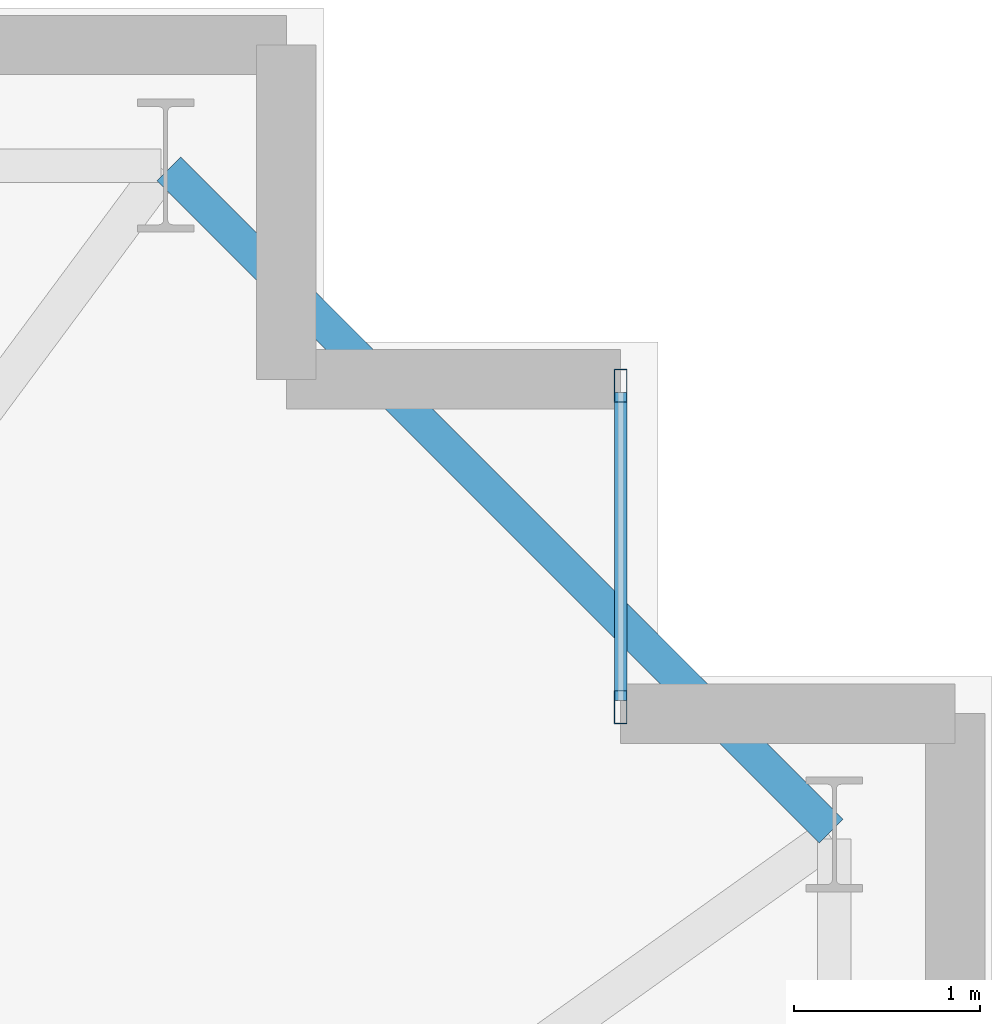
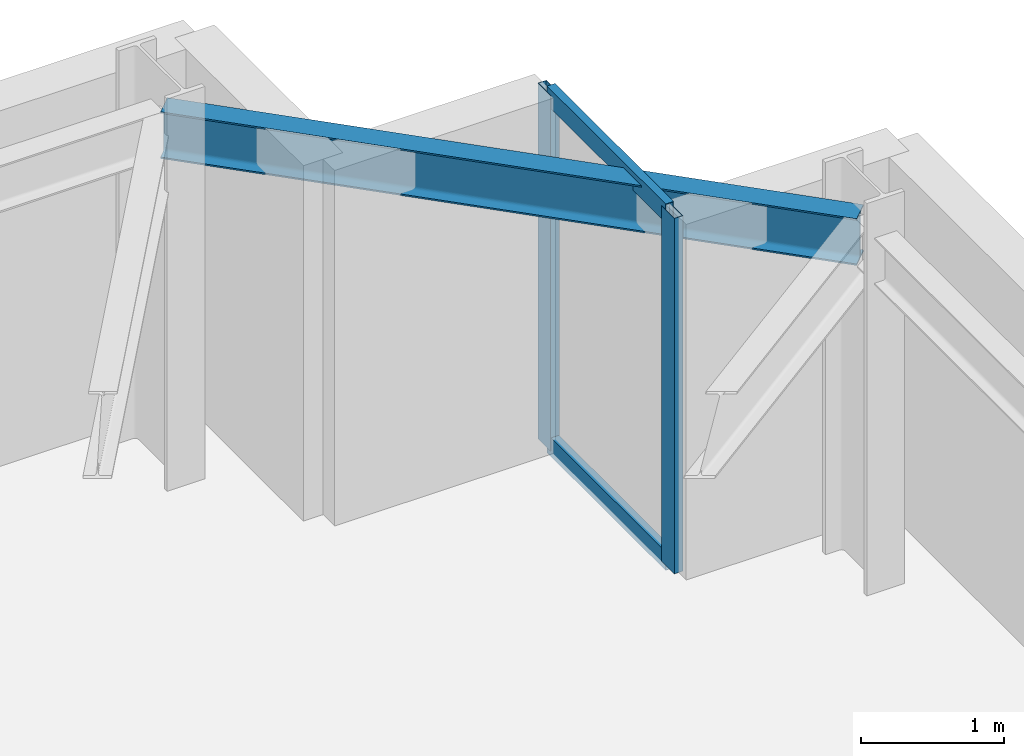
# One storey, part 12 of 21: 4 members, 1 beam, 1 element without a shape of its own.
"""IFC4 building model written with IfcOpenShell, lengths in metres."""

from ifc_helpers import new_model, si_unit, direction, frame, origin, origin_2d, place, context, subcontext, project, spatial, hollow_rectangle, i_section, extrude, material, layer, layer_set, material_profile, profile_set, type_object, element, aggregate, save


model = new_model("IFC4")

# Units and contexts
model_context = context("Model", 3, precision=1e-05, world=origin(), true_north=direction((0.0, 1.0)))
body_context = subcontext(model_context, "Body", "Model", "MODEL_VIEW")
ifc_project = project(units=[si_unit("LENGTHUNIT", "METRE"), si_unit("AREAUNIT", "SQUARE_METRE"), si_unit("VOLUMEUNIT", "CUBIC_METRE"), si_unit("PLANEANGLEUNIT", "RADIAN"), si_unit("MASSUNIT", "GRAM", prefix="KILO")], contexts=[model_context])

# Site, building, storey
site_placement = place(None, origin())
site = spatial("IfcSite", under=ifc_project, at=site_placement, CompositionType="ELEMENT")
building_placement = place(site_placement, origin())
building = spatial("IfcBuilding", under=site, at=building_placement, Name="Qobustan Lattice House", CompositionType="ELEMENT")
storey_placement = place(building_placement, frame((0.0, 0.0, 30.35009765625)))
storey = spatial("IfcBuildingStorey", under=building, at=storey_placement, Name="L07", CompositionType="ELEMENT", Elevation=30.35009765625)

# Beam
ifc_material_1 = material(Name="Steel S355", Category="steel")
ifc_material_profile_1 = material_profile(ifc_material_1, i_section(OverallWidth=0.179931640625, OverallDepth=0.39990234375, WebThickness=0.008544921875, FlangeThickness=0.013427734375, FilletRadius=0.02099609375, at=origin_2d()), Name="IPE400")
ifc_profile_set_1 = profile_set([ifc_material_profile_1], Name="Steel S355")
beam_type = type_object("IfcBeamType", Name="BM-SPD-IPE400", PredefinedType="SPANDREL", material=ifc_profile_set_1)
beam_placement = place(storey_placement, frame((32.13232421875, 15.167724609375, 2.8349609375), z_axis=(-0.707106781187, 0.707106781187, 0.0), x_axis=(-0.707106781187, -0.707106781187, 0.0)))
element("IfcBeam", 1, at=beam_placement, inside=storey, type_object=beam_type, Name="L07 perimeter spandrel E4-N1", PredefinedType="SPANDREL", context=body_context, shape_type="SweptSolid", body=[
    extrude(i_section(OverallWidth=0.179931640625, OverallDepth=0.39990234375, WebThickness=0.008544921875, FlangeThickness=0.013427734375, FilletRadius=0.02099609375, at=origin_2d()), origin(), (0.0, 0.0, 1.0), 5.041259765625),
])

# Curtain wall, members
ifc_material_2 = material(Name="Anodised aluminium and low-E glazing", Category="aluminium")
ifc_layer = layer(ifc_material_2, 0.219970703125)
ifc_layer_set = layer_set([ifc_layer], Name="Anodised aluminium and low-E glazing")
curtain_wall_type = type_object("IfcCurtainWallType", Name="CW-FAC-01", PredefinedType="USERDEFINED", material=ifc_layer_set)
curtain_wall_placement = place(storey_placement, origin())
curtain_wall = element("IfcCurtainWall", 2, at=curtain_wall_placement, inside=storey, type_object=curtain_wall_type, Name="L07 serrated corner faceted glazing 13", ObjectType="CURTAIN WALL", PredefinedType="USERDEFINED")
ifc_material_3 = material(Name="Anodised aluminium EN AW-6063 T6", Category="aluminium")
ifc_material_profile_2 = material_profile(ifc_material_3, hollow_rectangle(XDim=0.070068359375, YDim=0.179931640625, WallThickness=0.00439453125, at=origin_2d()), Name="CWM-180x70")
ifc_profile_set_2 = profile_set([ifc_material_profile_2], Name="Anodised aluminium EN AW-6063 T6")
member_type_1 = type_object("IfcMemberType", Name="CWM-STD-180", PredefinedType="MULLION", material=ifc_profile_set_2)
member_1_placement = place(storey_placement, frame((31.0, 17.56494140625, 0.0), z_axis=(0.0, 0.0, 1.0), x_axis=(1.0, 0.0, 0.0)))
member_1 = element("IfcMember", 3, at=member_1_placement, type_object=member_type_1, Name="CW-F1 mullion 1", PredefinedType="MULLION", context=body_context, shape_type="SweptSolid", body=[
    extrude(hollow_rectangle(XDim=0.070068359375, YDim=0.179931640625, WallThickness=0.00439453125, at=origin_2d()), origin(), (0.0, 0.0, 1.0), 3.034912109375),
])
member_2_placement = place(storey_placement, frame((31.0, 15.8349609375, 0.0), z_axis=(0.0, 0.0, 1.0), x_axis=(1.0, 0.0, 0.0)))
member_2 = element("IfcMember", 4, at=member_2_placement, type_object=member_type_1, Name="CW-F1 mullion 2", PredefinedType="MULLION", context=body_context, shape_type="SweptSolid", body=[
    extrude(hollow_rectangle(XDim=0.070068359375, YDim=0.179931640625, WallThickness=0.00439453125, at=origin_2d()), origin(), (0.0, 0.0, 1.0), 3.034912109375),
])
ifc_material_4 = material(Name="Anodised aluminium EN AW-6063 T6", Category="aluminium")
ifc_material_profile_3 = material_profile(ifc_material_4, hollow_rectangle(XDim=0.06494140625, YDim=0.159912109375, WallThickness=0.00390625, at=origin_2d()), Name="CWT-160x65")
ifc_profile_set_3 = profile_set([ifc_material_profile_3], Name="Anodised aluminium EN AW-6063 T6")
member_type_2 = type_object("IfcMemberType", Name="CWT-HOR-160", PredefinedType="USERDEFINED", material=ifc_profile_set_3)
member_3_placement = place(storey_placement, frame((31.0, 17.530029296875, 0.032470703125), z_axis=(0.0, -1.0, 0.0), x_axis=(1.0, 0.0, 0.0)))
member_3 = element("IfcMember", 5, at=member_3_placement, type_object=member_type_2, Name="CW-F1 transom 1.1", ObjectType="TRANSOM", PredefinedType="USERDEFINED", context=body_context, shape_type="SweptSolid", body=[
    extrude(hollow_rectangle(XDim=0.06494140625, YDim=0.159912109375, WallThickness=0.00390625, at=origin_2d()), origin(), (0.0, 0.0, 1.0), 1.659912109375),
])
member_4_placement = place(storey_placement, frame((31.0, 17.530029296875, 3.00244140625), z_axis=(0.0, -1.0, 0.0), x_axis=(1.0, 0.0, 0.0)))
member_4 = element("IfcMember", 6, at=member_4_placement, type_object=member_type_2, Name="CW-F1 transom 1.2", ObjectType="TRANSOM", PredefinedType="USERDEFINED", context=body_context, shape_type="SweptSolid", body=[
    extrude(hollow_rectangle(XDim=0.06494140625, YDim=0.159912109375, WallThickness=0.00390625, at=origin_2d()), origin(), (0.0, 0.0, 1.0), 1.659912109375),
])
aggregate(curtain_wall, [member_1, member_2, member_3, member_4])

save(model, "model.ifc")
